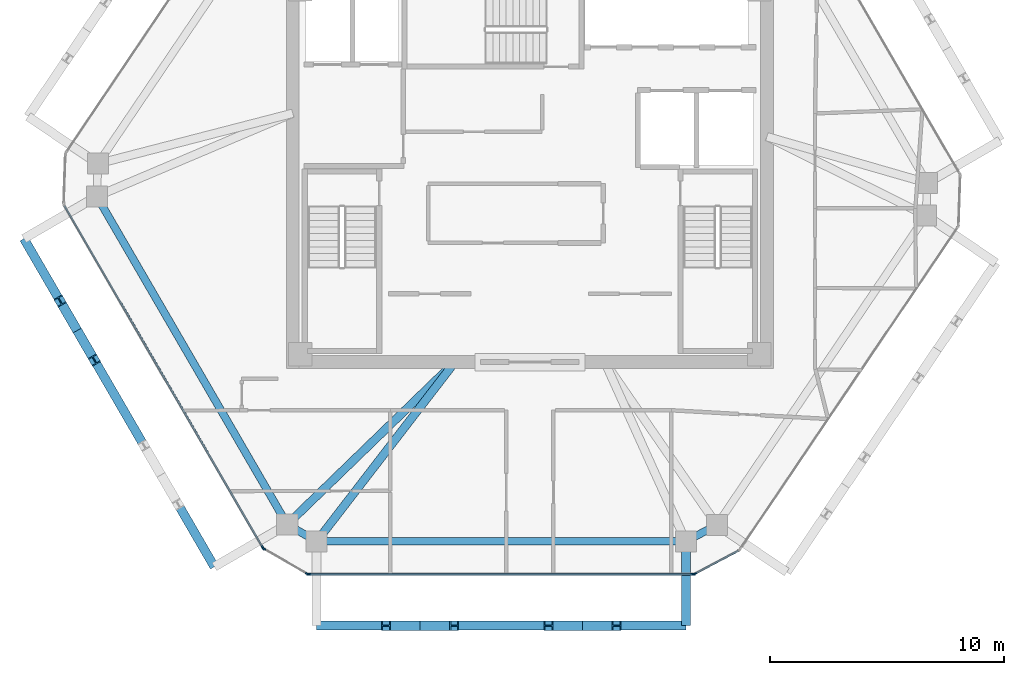
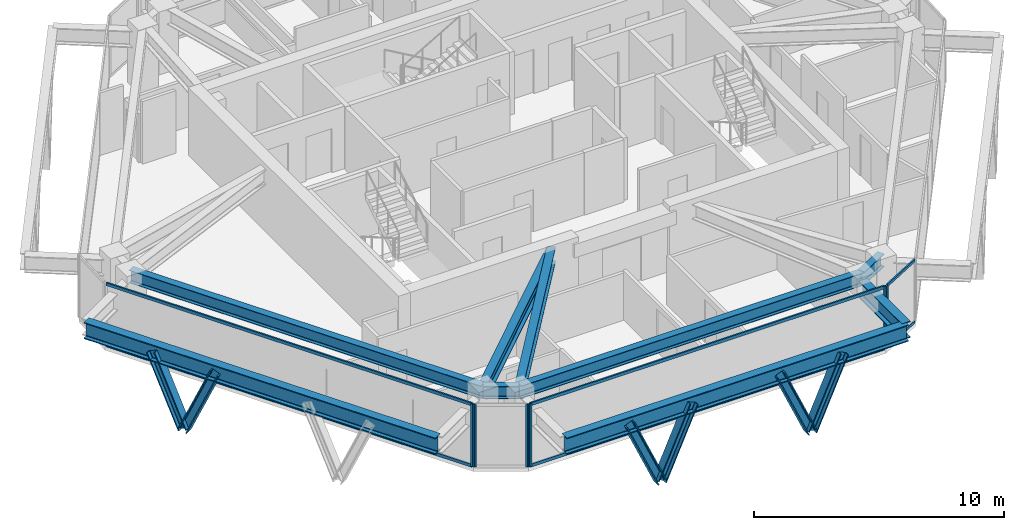
# One storey, part 2 of 11: 18 members, 9 beams, 4 elements without a shape of their own.
"""IFC4 building model written with IfcOpenShell, lengths in metres."""

import ifcopenshell
import ifcopenshell.guid

model = None  # the IFC model being written
_history = None  # IfcOwnerHistory: only IFC2X3 demands one
_inside = {}  # id of a spatial element -> (the spatial element, [elements in it])
_under = {}  # id of a project, library or spatial element -> (it, [spatial elements below it])
_declared = {}  # id of a project -> (the project, [libraries it declares])
_typed = {}  # id of a type object -> (the type object, [elements of that type])
_made_of = {}  # id of a material, layer set ... -> (it, [elements and type objects made of it])


def new_model(schema):
    """Start an empty IFC model of exactly this schema.

    Asked for "IFC4X3", IfcOpenShell would pick the latest addendum, in which some entities
    have other attributes; the version numbers below select the first issue.
    IFC2X3 requires an IfcOwnerHistory on every rooted entity: one is made here for all.
    """
    global model, _history
    if schema == "IFC4X3":
        model = ifcopenshell.file(schema_version=(4, 3, 0, 0))
    else:
        model = ifcopenshell.file(schema=schema)
    _inside.clear()
    _under.clear()
    _declared.clear()
    _typed.clear()
    _made_of.clear()
    _history = None
    if model.schema == "IFC2X3":
        org = make("IfcOrganization", Name="unknown")
        user = make(
            "IfcPersonAndOrganization",
            ThePerson=make("IfcPerson", FamilyName="unknown"),
            TheOrganization=org,
        )
        app = make(
            "IfcApplication",
            ApplicationDeveloper=org,
            Version="unknown",
            ApplicationFullName="unknown",
            ApplicationIdentifier="unknown",
        )
        _history = make(
            "IfcOwnerHistory",
            OwningUser=user,
            OwningApplication=app,
            ChangeAction="ADDED",
            CreationDate=0,
        )
    return model


def make(cls, **values):
    """One entity of the class cls with the attributes given. An attribute that is None is left unset."""
    return model.create_entity(
        cls, **{name: value for name, value in values.items() if value is not None}
    )


def rooted(cls, **values):
    """An entity with a GlobalId (a new one), such as an element, a storey or a relation."""
    return make(cls, GlobalId=ifcopenshell.guid.new(), OwnerHistory=_history, **values)


def si_unit(unit_type, name, prefix=None):
    """IfcSIUnit, for example si_unit("LENGTHUNIT", "METRE", prefix="MILLI")."""
    return make("IfcSIUnit", UnitType=unit_type, Prefix=prefix, Name=name)


def assignment(units):
    """IfcUnitAssignment: the units of a project."""
    return None if units is None else make("IfcUnitAssignment", Units=units)


def point(xyz):
    """IfcCartesianPoint."""
    return None if xyz is None else make("IfcCartesianPoint", Coordinates=xyz)


def direction(xyz):
    """IfcDirection."""
    return None if xyz is None else make("IfcDirection", DirectionRatios=xyz)


def frame(location, z_axis=None, x_axis=None):
    """IfcAxis2Placement3D, a coordinate frame: its origin and axes. An axis left out is left unset."""
    return make(
        "IfcAxis2Placement3D",
        Location=point(location),
        Axis=direction(z_axis),
        RefDirection=direction(x_axis),
    )


def frame_2d(location, x_axis=None):
    """IfcAxis2Placement2D, a coordinate frame in the plane: its origin and x axis."""
    return make(
        "IfcAxis2Placement2D", Location=point(location), RefDirection=direction(x_axis)
    )


def origin():
    """The frame at (0, 0, 0) with its axes left unset."""
    return frame((0.0, 0.0, 0.0))


def origin_2d():
    """The frame at (0, 0) in the plane with its x axis left unset."""
    return frame_2d((0.0, 0.0))


def place(relative_to, where):
    """IfcLocalPlacement: puts the frame where relative to a parent placement (None: the world)."""
    return make(
        "IfcLocalPlacement", PlacementRelTo=relative_to, RelativePlacement=where
    )


def context(
    kind, dimensions, precision=None, world=None, true_north=None, identifier=None
):
    """IfcGeometricRepresentationContext, for example the 3D "Model" context."""
    return make(
        "IfcGeometricRepresentationContext",
        ContextIdentifier=identifier,
        ContextType=kind,
        CoordinateSpaceDimension=dimensions,
        Precision=precision,
        WorldCoordinateSystem=world,
        TrueNorth=true_north,
    )


def subcontext(parent, identifier, kind, view, scale=None):
    """IfcGeometricRepresentationSubContext, for example "Body" below "Model"."""
    return make(
        "IfcGeometricRepresentationSubContext",
        ContextIdentifier=identifier,
        ContextType=kind,
        ParentContext=parent,
        TargetScale=scale,
        TargetView=view,
    )


def project(units=None, contexts=None):
    """IfcProject with its units and contexts."""
    return rooted(
        "IfcProject",
        Name="project",
        RepresentationContexts=contexts,
        UnitsInContext=assignment(units),
    )


def spatial(cls, under=None, at=None, **own):
    """A site, building, storey or space (cls), placed at a placement, below another one or the project."""
    s = rooted(cls, ObjectPlacement=at, **own)
    if under is not None:
        _under.setdefault(under.id(), (under, []))[1].append(s)
    return s


def profile(cls, at=None, kind="AREA", **sizes):
    """A parametric profile (cls). Its sizes go by their IFC names, for example OverallWidth=200.0."""
    return make(cls, ProfileType=kind, Position=at, **sizes)


def rectangle(**sizes):
    """IfcRectangleProfileDef."""
    return profile("IfcRectangleProfileDef", **sizes)


def i_section(**sizes):
    """IfcIShapeProfileDef."""
    return profile("IfcIShapeProfileDef", **sizes)


def extrude(swept, where, along, depth):
    """IfcExtrudedAreaSolid: the profile swept, set in the frame where, extruded along a direction by depth."""
    return make(
        "IfcExtrudedAreaSolid",
        SweptArea=swept,
        Position=where,
        ExtrudedDirection=direction(along),
        Depth=depth,
    )


def shape(context_of_items, identifier, shape_type, items):
    """IfcShapeRepresentation: the items that make up one representation, for example the "Body"."""
    return make(
        "IfcShapeRepresentation",
        ContextOfItems=context_of_items,
        RepresentationIdentifier=identifier,
        RepresentationType=shape_type,
        Items=items,
    )


def source(mapping_origin, context_of_items, identifier, shape_type, items):
    """IfcRepresentationMap: a shape defined once, which mapped items show again and again."""
    return make(
        "IfcRepresentationMap",
        MappingOrigin=mapping_origin,
        MappedRepresentation=shape(context_of_items, identifier, shape_type, items),
    )


def transform(
    local_origin,
    x_axis=None,
    y_axis=None,
    z_axis=None,
    scale=None,
    scale2=None,
    scale3=None,
    uniform=True,
):
    """IfcCartesianTransformationOperator3D, or its non-uniform kind. x_axis, y_axis, z_axis: its Axis1, 2, 3."""
    if uniform:
        return make(
            "IfcCartesianTransformationOperator3D",
            Axis1=direction(x_axis),
            Axis2=direction(y_axis),
            LocalOrigin=point(local_origin),
            Scale=scale,
            Axis3=direction(z_axis),
        )
    return make(
        "IfcCartesianTransformationOperator3DnonUniform",
        Axis1=direction(x_axis),
        Axis2=direction(y_axis),
        LocalOrigin=point(local_origin),
        Scale=scale,
        Axis3=direction(z_axis),
        Scale2=scale2,
        Scale3=scale3,
    )


def mapped(mapping_source, mapping_target):
    """IfcMappedItem: shows the shape of a source again, moved by a transform."""
    return make(
        "IfcMappedItem", MappingSource=mapping_source, MappingTarget=mapping_target
    )


def material(Name=None, Category=None):
    """IfcMaterial."""
    return make("IfcMaterial", Name=Name, Category=Category)


def layer(
    of_material, thickness, ventilated=None, Name=None, Category=None, Priority=None
):
    """IfcMaterialLayer: one layer of a wall or slab, of a material (None: an air gap)."""
    return make(
        "IfcMaterialLayer",
        Material=of_material,
        LayerThickness=thickness,
        IsVentilated=ventilated,
        Name=Name,
        Category=Category,
        Priority=Priority,
    )


def layer_set(layers, Name=None):
    """IfcMaterialLayerSet."""
    return make("IfcMaterialLayerSet", MaterialLayers=layers, LayerSetName=Name)


def material_profile(
    of_material, cross_section, Name=None, Category=None, Priority=None
):
    """IfcMaterialProfile: a cross section and its material."""
    return make(
        "IfcMaterialProfile",
        Name=Name,
        Material=of_material,
        Profile=cross_section,
        Priority=Priority,
        Category=Category,
    )


def profile_set(profiles, Name=None, composite=None):
    """IfcMaterialProfileSet."""
    return make(
        "IfcMaterialProfileSet",
        Name=Name,
        MaterialProfiles=profiles,
        CompositeProfile=composite,
    )


def made_of(thing, what):
    """Note that an element or type object is made of a material, layer set ...; save() writes the relation."""
    if what is not None:
        _made_of.setdefault(what.id(), (what, []))[1].append(thing)
    return thing


def type_object(cls, material=None, **own):
    """A type object (cls), such as IfcWallType, which elements share."""
    return made_of(rooted(cls, **own), material)


def type_shapes(of_type, sources):
    """Give a type object the sources (RepresentationMaps) that its elements show as mapped items."""
    of_type.RepresentationMaps = sources


def element(
    cls,
    number,
    at=None,
    inside=None,
    cuts=None,
    type_object=None,
    material=None,
    context=None,
    identifier="Body",
    shape_type=None,
    held_by="IfcProductDefinitionShape",
    body=None,
    shapes=None,
    **own,
):
    """One element of the class cls, such as IfcWall. Its Tag is "e" and its number.

    at: its placement. inside: the storey or other place that contains it. cuts: it is an
    opening in that element (IfcRelVoidsElement). A single representation is given by context,
    identifier, shape_type and body (its items); several are given by shapes. held_by: the class
    of the entity that holds the representations. save() writes the other relations.
    """
    e = rooted(cls, Tag="e%d" % number, ObjectPlacement=at, **own)
    if body is not None:
        shapes = [shape(context, identifier, shape_type, body)]
    if shapes is not None:
        e.Representation = make(held_by, Representations=shapes)
    if inside is not None:
        _inside.setdefault(inside.id(), (inside, []))[1].append(e)
    if cuts is not None:
        rooted(
            "IfcRelVoidsElement", RelatingBuildingElement=cuts, RelatedOpeningElement=e
        )
    if type_object is not None:
        _typed.setdefault(type_object.id(), (type_object, []))[1].append(e)
    return made_of(e, material)


def aggregate(whole, parts):
    """IfcRelAggregates: a whole, such as a stair, and the parts it consists of."""
    return rooted("IfcRelAggregates", RelatingObject=whole, RelatedObjects=parts)


def save(model, path):
    """Write the relations noted so far, then the file.

    IfcRelAggregates (storeys below a building ...), IfcRelContainedInSpatialStructure (elements
    in a storey), IfcRelDefinesByType, IfcRelAssociatesMaterial and IfcRelDeclares: one each for
    every whole, place, type object, material and project.
    """
    for whole, parts in _under.values():
        aggregate(whole, parts)
    for where, things in _inside.values():
        rooted(
            "IfcRelContainedInSpatialStructure",
            RelatedElements=things,
            RelatingStructure=where,
        )
    for kind, things in _typed.values():
        rooted("IfcRelDefinesByType", RelatedObjects=things, RelatingType=kind)
    for what, things in _made_of.values():
        rooted("IfcRelAssociatesMaterial", RelatedObjects=things, RelatingMaterial=what)
    for by, libraries in _declared.values():
        rooted("IfcRelDeclares", RelatingContext=by, RelatedDefinitions=libraries)
    model.write(path)


model = new_model("IFC4")

# Units and contexts
model_context = context("Model", 3, precision=1e-05, world=origin(), true_north=direction((0.0, 1.0)))
body_context = subcontext(model_context, "Body", "Model", "MODEL_VIEW")
ifc_project = project(units=[si_unit("LENGTHUNIT", "METRE"), si_unit("AREAUNIT", "SQUARE_METRE"), si_unit("VOLUMEUNIT", "CUBIC_METRE"), si_unit("PLANEANGLEUNIT", "RADIAN"), si_unit("MASSUNIT", "GRAM", prefix="KILO")], contexts=[model_context])

# Site, building, storey
site_placement = place(None, origin())
site = spatial("IfcSite", under=ifc_project, at=site_placement, CompositionType="ELEMENT")
building_placement = place(site_placement, origin())
building = spatial("IfcBuilding", under=site, at=building_placement, Name="Durnholm Broadcast Tower", CompositionType="ELEMENT")
storey_placement = place(building_placement, frame((0.0, 0.0, 238.10009765625)))
storey = spatial("IfcBuildingStorey", under=building, at=storey_placement, Name="L66", CompositionType="ELEMENT", Elevation=238.10009765625)

# Beams
ifc_material_1 = material(Name="Steel ASTM A992 Grade 50", Category="steel")
ifc_material_profile_1 = material_profile(ifc_material_1, i_section(OverallWidth=0.385009765625, OverallDepth=0.802978515625, WebThickness=0.023681640625, FlangeThickness=0.0419921875, FilletRadius=0.032958984375, at=origin_2d()), Name="W30X261")
ifc_profile_set_1 = profile_set([ifc_material_profile_1], Name="Steel ASTM A992 Grade 50")
beam_type_1 = type_object("IfcBeamType", Name="BM-EXO-TIE", PredefinedType="USERDEFINED", material=ifc_profile_set_1)
shared_shape_1 = source(origin(), body_context, "Body", "SweptSolid", [
    extrude(i_section(OverallWidth=0.385009765625, OverallDepth=0.802978515625, WebThickness=0.023681640625, FlangeThickness=0.0419921875, FilletRadius=0.032958984375, at=origin_2d()), origin(), (0.0, 0.0, 1.0), 3.4560546875),
])
beam_1_placement = place(storey_placement, frame((6.663818359375, -15.929931640625, 2.308349609375), z_axis=(0.0, -1.0, 0.0), x_axis=(1.0, 0.0, 0.0)))
element("IfcBeam", 1, at=beam_1_placement, inside=storey, type_object=beam_type_1, Name="L66 exoskeleton stand-off tie bracket F1.2", ObjectType="GIRDER", PredefinedType="USERDEFINED", context=body_context, shape_type="MappedRepresentation", body=[
    mapped(shared_shape_1, transform((0.0, 0.0, 0.0), x_axis=(1.0, 0.0, 0.0), y_axis=(0.0, 1.0, 0.0), z_axis=(0.0, 0.0, 1.0), scale=1.0)),
])
ifc_material_profile_2 = material_profile(ifc_material_1, i_section(OverallWidth=0.3251953125, OverallDepth=0.6162109375, WebThickness=0.013916015625, FlangeThickness=0.021484375, FilletRadius=0.02783203125, at=origin_2d()), Name="W24X117")
ifc_profile_set_2 = profile_set([ifc_material_profile_2], Name="Steel ASTM A992 Grade 50")
beam_type_2 = type_object("IfcBeamType", Name="STL-SP-W24X117", PredefinedType="SPANDREL", material=ifc_profile_set_2)
shared_shape_2 = source(origin(), body_context, "Body", "SweptSolid", [
    extrude(i_section(OverallWidth=0.3251953125, OverallDepth=0.6162109375, WebThickness=0.013916015625, FlangeThickness=0.021484375, FilletRadius=0.02783203125, at=origin_2d()), origin(), (0.0, 0.0, 1.0), 16.202880859375),
])
beam_2_placement = place(storey_placement, frame((-10.361328125, -15.061767578125, 2.73681640625), z_axis=(-0.501948303381, 0.864897624423, 0.0), x_axis=(-0.864897624423, -0.501948303381, 0.0)))
element("IfcBeam", 2, at=beam_2_placement, inside=storey, type_object=beam_type_2, Name="L66 perimeter spandrel girder 01", PredefinedType="SPANDREL", context=body_context, shape_type="MappedRepresentation", body=[
    mapped(shared_shape_2, transform((0.0, 0.0, 0.0), x_axis=(1.0, 0.0, 0.0), y_axis=(0.0, 1.0, 0.0), z_axis=(0.0, 0.0, 1.0), scale=1.0)),
])
shared_shape_3 = source(origin(), body_context, "Body", "SweptSolid", [
    extrude(i_section(OverallWidth=0.3251953125, OverallDepth=0.6162109375, WebThickness=0.013916015625, FlangeThickness=0.021484375, FilletRadius=0.02783203125, at=origin_2d()), origin(), (0.0, 0.0, 1.0), 1.502685546875),
])
beam_3_placement = place(storey_placement, frame((7.990966796875, -15.081298828125, 2.73681640625), z_axis=(-0.883241909673, -0.468917614296, 0.0), x_axis=(0.468917614296, -0.883241909673, 0.0)))
element("IfcBeam", 3, at=beam_3_placement, inside=storey, type_object=beam_type_2, Name="L66 perimeter spandrel girder 10", PredefinedType="SPANDREL", context=body_context, shape_type="MappedRepresentation", body=[
    mapped(shared_shape_3, transform((0.0, 0.0, 0.0), x_axis=(1.0, 0.0, 0.0), y_axis=(0.0, 1.0, 0.0), z_axis=(0.0, 0.0, 1.0), scale=1.0)),
])
shared_shape_4 = source(origin(), body_context, "Body", "SweptSolid", [
    extrude(i_section(OverallWidth=0.3251953125, OverallDepth=0.6162109375, WebThickness=0.013916015625, FlangeThickness=0.021484375, FilletRadius=0.02783203125, at=origin_2d()), origin(), (0.0, 0.0, 1.0), 15.767578125),
])
beam_4_placement = place(storey_placement, frame((6.663818359375, -15.785888671875, 2.73681640625), z_axis=(-1.0, 0.0, 0.0), x_axis=(0.0, -1.0, 0.0)))
element("IfcBeam", 4, at=beam_4_placement, inside=storey, type_object=beam_type_2, Name="L66 perimeter spandrel girder 11", PredefinedType="SPANDREL", context=body_context, shape_type="MappedRepresentation", body=[
    mapped(shared_shape_4, transform((0.0, 0.0, 0.0), x_axis=(1.0, 0.0, 0.0), y_axis=(0.0, 1.0, 0.0), z_axis=(0.0, 0.0, 1.0), scale=1.0)),
])
shared_shape_5 = source(origin(), body_context, "Body", "SweptSolid", [
    extrude(i_section(OverallWidth=0.3251953125, OverallDepth=0.6162109375, WebThickness=0.013916015625, FlangeThickness=0.021484375, FilletRadius=0.02783203125, at=origin_2d()), origin(), (0.0, 0.0, 1.0), 1.451171875),
])
type_shapes(beam_type_2, [shared_shape_2, shared_shape_3, shared_shape_4, shared_shape_5])
beam_5_placement = place(storey_placement, frame((-9.103759765625, -15.785888671875, 2.73681640625), z_axis=(-0.866602615509, 0.498998904601, 0.0), x_axis=(-0.498998904601, -0.866602615509, 0.0)))
element("IfcBeam", 5, at=beam_5_placement, inside=storey, type_object=beam_type_2, Name="L66 perimeter spandrel girder 12", PredefinedType="SPANDREL", context=body_context, shape_type="MappedRepresentation", body=[
    mapped(shared_shape_5, transform((0.0, 0.0, 0.0), x_axis=(1.0, 0.0, 0.0), y_axis=(0.0, 1.0, 0.0), z_axis=(0.0, 0.0, 1.0), scale=1.0)),
])
shared_shape_6 = source(origin(), body_context, "Body", "SweptSolid", [
    extrude(i_section(OverallWidth=0.385009765625, OverallDepth=0.802978515625, WebThickness=0.023681640625, FlangeThickness=0.0419921875, FilletRadius=0.032958984375, at=origin_2d()), origin(), (0.0, 0.0, 1.0), 15.767578125),
])
beam_6_placement = place(storey_placement, frame((-9.103759765625, -19.385986328125, 2.308349609375), z_axis=(1.0, 0.0, 0.0), x_axis=(0.0, 1.0, 0.0)))
element("IfcBeam", 6, at=beam_6_placement, inside=storey, type_object=beam_type_1, Name="L66 exoskeleton collector spandrel F1", PredefinedType="SPANDREL", context=body_context, shape_type="MappedRepresentation", body=[
    mapped(shared_shape_6, transform((0.0, 0.0, 0.0), x_axis=(1.0, 0.0, 0.0), y_axis=(0.0, 1.0, 0.0), z_axis=(0.0, 0.0, 1.0), scale=1.0)),
])
shared_shape_7 = source(origin(), body_context, "Body", "SweptSolid", [
    extrude(i_section(OverallWidth=0.385009765625, OverallDepth=0.802978515625, WebThickness=0.023681640625, FlangeThickness=0.0419921875, FilletRadius=0.032958984375, at=origin_2d()), origin(), (0.0, 0.0, 1.0), 16.20263671875),
])
type_shapes(beam_type_1, [shared_shape_1, shared_shape_6, shared_shape_7])
beam_7_placement = place(storey_placement, frame((-21.60791015625, -2.85498046875, 2.308349609375), z_axis=(0.501943573333, -0.864900369516, 0.0), x_axis=(0.864900369516, 0.501943573333, 0.0)))
element("IfcBeam", 7, at=beam_7_placement, inside=storey, type_object=beam_type_1, Name="L66 exoskeleton collector spandrel F6", PredefinedType="SPANDREL", context=body_context, shape_type="MappedRepresentation", body=[
    mapped(shared_shape_7, transform((0.0, 0.0, 0.0), x_axis=(1.0, 0.0, 0.0), y_axis=(0.0, 1.0, 0.0), z_axis=(0.0, 0.0, 1.0), scale=1.0)),
])
ifc_material_profile_3 = material_profile(ifc_material_1, i_section(OverallWidth=0.3564453125, OverallDepth=0.713623046875, WebThickness=0.01904296875, FlangeThickness=0.033935546875, FilletRadius=0.030517578125, at=origin_2d()), Name="W27X194")
ifc_profile_set_3 = profile_set([ifc_material_profile_3], Name="Steel ASTM A992 Grade 50")
beam_type_3 = type_object("IfcBeamType", Name="STL-GR-W27X194", PredefinedType="USERDEFINED", material=ifc_profile_set_3)
shared_shape_8 = source(origin(), body_context, "Body", "SweptSolid", [
    extrude(i_section(OverallWidth=0.3564453125, OverallDepth=0.713623046875, WebThickness=0.01904296875, FlangeThickness=0.033935546875, FilletRadius=0.030517578125, at=origin_2d()), origin(), (0.0, 0.0, 1.0), 9.97021484375),
])
beam_8_placement = place(storey_placement, frame((-3.199951171875, -8.125, 2.68798828125), z_axis=(-0.718281140352, -0.695752975857, 0.0), x_axis=(0.695752975857, -0.718281140352, 0.0)))
element("IfcBeam", 8, at=beam_8_placement, inside=storey, type_object=beam_type_3, Name="L66 radial primary floor girder 01", ObjectType="GIRDER", PredefinedType="USERDEFINED", context=body_context, shape_type="MappedRepresentation", body=[
    mapped(shared_shape_8, transform((0.0, 0.0, 0.0), x_axis=(1.0, 0.0, 0.0), y_axis=(0.0, 1.0, 0.0), z_axis=(0.0, 0.0, 1.0), scale=1.0)),
])
shared_shape_9 = source(origin(), body_context, "Body", "SweptSolid", [
    extrude(i_section(OverallWidth=0.3564453125, OverallDepth=0.713623046875, WebThickness=0.01904296875, FlangeThickness=0.033935546875, FilletRadius=0.030517578125, at=origin_2d()), origin(), (0.0, 0.0, 1.0), 9.671875),
])
type_shapes(beam_type_3, [shared_shape_8, shared_shape_9])
beam_9_placement = place(storey_placement, frame((-3.199951171875, -8.125, 2.68798828125), z_axis=(-0.610413181287, -0.792083169945, 0.0), x_axis=(0.792083169945, -0.610413181287, 0.0)))
element("IfcBeam", 9, at=beam_9_placement, inside=storey, type_object=beam_type_3, Name="L66 radial primary floor girder 12", ObjectType="GIRDER", PredefinedType="USERDEFINED", context=body_context, shape_type="MappedRepresentation", body=[
    mapped(shared_shape_9, transform((0.0, 0.0, 0.0), x_axis=(1.0, 0.0, 0.0), y_axis=(0.0, 1.0, 0.0), z_axis=(0.0, 0.0, 1.0), scale=1.0)),
])

# Members
ifc_material_2 = material(Name="Steel ASTM A913 Grade 65", Category="steel")
ifc_material_profile_4 = material_profile(ifc_material_2, i_section(OverallWidth=0.40625, OverallDepth=0.416015625, WebThickness=0.02978515625, FlangeThickness=0.048095703125, FilletRadius=0.030517578125, at=origin_2d()), Name="W14X257")
ifc_profile_set_4 = profile_set([ifc_material_profile_4], Name="Steel ASTM A913 Grade 65")
member_type_1 = type_object("IfcMemberType", Name="STL-DG-W14X257", PredefinedType="BRACE", material=ifc_profile_set_4)
shared_shape_10 = source(origin(), body_context, "Body", "SweptSolid", [
    extrude(i_section(OverallWidth=0.40625, OverallDepth=0.416015625, WebThickness=0.02978515625, FlangeThickness=0.048095703125, FilletRadius=0.030517578125, at=origin_2d()), origin(), (0.0, 0.0, 1.0), 3.607666015625),
])
type_shapes(member_type_1, [shared_shape_10])
for number, where, z_axis, x_axis, name in (
    (10, (-4.688720703125, -19.385986328125, -0.991455078125), (-0.404209932713, 0.0, 0.914666239836), (0.0, -1.0, 0.0), "L66 stand-off diagrid brace F1.D1.1"),
    (11, (-4.688720703125, -19.385986328125, -0.991455078125), (0.404153314314, 0.0, 0.914691258584), (0.0, 1.0, 0.0), "L66 stand-off diagrid brace F1.D1.2"),
    (12, (2.248779296875, -19.385986328125, -0.991455078125), (-0.404209932713, 0.0, 0.914666239836), (0.0, -1.0, 0.0), "L66 stand-off diagrid brace F1.D2.1"),
    (13, (2.248779296875, -19.385986328125, -0.991455078125), (0.404209932713, 0.0, 0.914666239836), (0.0, 1.0, 0.0), "L66 stand-off diagrid brace F1.D2.2"),
    (14, (-19.330810546875, -6.77880859375, -0.991455078125), (-0.202818858385, 0.349603677817, 0.914681244555), (-0.864978863669, -0.501808295473, 0.0), "L66 stand-off diagrid brace F6.D1.1"),
    (15, (-19.330810546875, -6.77880859375, -0.991455078125), (0.202948633357, -0.349594078001, 0.914656128195), (0.864833498681, 0.50205878098, 0.0), "L66 stand-off diagrid brace F6.D1.2"),
):
    element("IfcMember", number, at=place(storey_placement, frame(where, z_axis=z_axis, x_axis=x_axis)), inside=storey, type_object=member_type_1, Name=name, PredefinedType="BRACE", context=body_context, shape_type="MappedRepresentation", body=[
        mapped(shared_shape_10, transform((0.0, 0.0, 0.0), x_axis=(1.0, 0.0, 0.0), y_axis=(0.0, 1.0, 0.0), z_axis=(0.0, 0.0, 1.0), scale=1.0)),
    ])

# Curtain wall, members
ifc_material_3 = material(Name="Aluminium and Solar Control IGU", Category="aluminium")
ifc_layer_1 = layer(ifc_material_3, 0.1650390625)
ifc_layer_set_1 = layer_set([ifc_layer_1], Name="Aluminium and Solar Control IGU")
curtain_wall_type_1 = type_object("IfcCurtainWallType", Name="CW-SYS-5", PredefinedType="NOTDEFINED", material=ifc_layer_set_1)
curtain_wall_1_placement = place(storey_placement, origin())
curtain_wall_1 = element("IfcCurtainWall", 16, at=curtain_wall_1_placement, inside=storey, type_object=curtain_wall_type_1, Name="L66 curtain wall CW-CORNER CW-L66-CRN-09", PredefinedType="NOTDEFINED")
ifc_material_4 = material(Name="Aluminium 6063-T6", Category="aluminium")
ifc_material_profile_5 = material_profile(ifc_material_4, rectangle(XDim=0.06494140625, YDim=0.1298828125, at=origin_2d()), Name="CWT65X130")
ifc_profile_set_5 = profile_set([ifc_material_profile_5], Name="Aluminium 6063-T6")
member_type_2 = type_object("IfcMemberType", Name="CW-SYS-5-TRN", PredefinedType="USERDEFINED", material=ifc_profile_set_5)
shared_shape_11 = source(origin(), body_context, "Body", "SweptSolid", [
    extrude(rectangle(XDim=0.06494140625, YDim=0.1298828125, at=origin_2d()), origin(), (0.0, 0.0, 1.0), 2.070068359375),
])
type_shapes(member_type_2, [shared_shape_11])
member_1_placement = place(storey_placement, frame((8.89794921875, -16.1845703125, 0.032470703125), z_axis=(-0.883164581026, -0.469063239682, 0.0), x_axis=(0.469063239682, -0.883164581026, 0.0)))
member_1 = element("IfcMember", 17, at=member_1_placement, type_object=member_type_2, Name="CW-CORNER transom 1.1", ObjectType="TRANSOM", PredefinedType="USERDEFINED", context=body_context, shape_type="MappedRepresentation", body=[
    mapped(shared_shape_11, transform((0.0, 0.0, 0.0), x_axis=(1.0, 0.0, 0.0), y_axis=(0.0, 1.0, 0.0), z_axis=(0.0, 0.0, 1.0), scale=1.0)),
])
member_2_placement = place(storey_placement, frame((8.89794921875, -16.1845703125, 3.02734375), z_axis=(-0.883164581026, -0.469063239682, 0.0), x_axis=(0.469063239682, -0.883164581026, 0.0)))
member_2 = element("IfcMember", 18, at=member_2_placement, type_object=member_type_2, Name="CW-CORNER transom 1.2", ObjectType="TRANSOM", PredefinedType="USERDEFINED", context=body_context, shape_type="MappedRepresentation", body=[
    mapped(shared_shape_11, transform((0.0, 0.0, 0.0), x_axis=(1.0, 0.0, 0.0), y_axis=(0.0, 1.0, 0.0), z_axis=(0.0, 0.0, 1.0), scale=1.0)),
])
ifc_material_profile_6 = material_profile(ifc_material_4, rectangle(XDim=0.06494140625, YDim=0.1650390625, at=origin_2d()), Name="CWM65X165")
ifc_profile_set_6 = profile_set([ifc_material_profile_6], Name="Aluminium 6063-T6")
member_type_3 = type_object("IfcMemberType", Name="CW-SYS-5-MUL", PredefinedType="MULLION", material=ifc_profile_set_6)
shared_shape_12 = source(origin(), body_context, "Body", "SweptSolid", [
    extrude(rectangle(XDim=0.06494140625, YDim=0.1650390625, at=origin_2d()), origin(), (0.0, 0.0, 1.0), 3.059814453125),
])
type_shapes(member_type_3, [shared_shape_12])
member_3_placement = place(storey_placement, frame((7.041015625, -17.170654296875, 0.0), z_axis=(0.0, 0.0, 1.0), x_axis=(0.469006771575, -0.883194569853, 0.0)))
member_3 = element("IfcMember", 19, at=member_3_placement, type_object=member_type_3, Name="CW-CORNER mullion 2", PredefinedType="MULLION", context=body_context, shape_type="MappedRepresentation", body=[
    mapped(shared_shape_12, transform((0.0, 0.0, 0.0), x_axis=(1.0, 0.0, 0.0), y_axis=(0.0, 1.0, 0.0), z_axis=(0.0, 0.0, 1.0), scale=1.0)),
])
aggregate(curtain_wall_1, [member_3, member_1, member_2])

curtain_wall_2_placement = place(storey_placement, origin())
curtain_wall_2 = element("IfcCurtainWall", 20, at=curtain_wall_2_placement, inside=storey, type_object=curtain_wall_type_1, Name="L66 curtain wall CW-CORNER CW-L66-CRN-11", PredefinedType="NOTDEFINED")
member_4_placement = place(storey_placement, frame((-9.506103515625, -17.169677734375, 0.0), z_axis=(0.0, 0.0, 1.0), x_axis=(-0.499058582333, -0.866568249707, 0.0)))
member_4 = element("IfcMember", 21, at=member_4_placement, type_object=member_type_3, Name="CW-CORNER mullion 1", PredefinedType="MULLION", context=body_context, shape_type="MappedRepresentation", body=[
    mapped(shared_shape_12, transform((0.0, 0.0, 0.0), x_axis=(1.0, 0.0, 0.0), y_axis=(0.0, 1.0, 0.0), z_axis=(0.0, 0.0, 1.0), scale=1.0)),
])
member_5_placement = place(storey_placement, frame((-11.356201171875, -16.104248046875, 0.0), z_axis=(0.0, 0.0, 1.0), x_axis=(-0.499058582333, -0.866568249707, 0.0)))
member_5 = element("IfcMember", 22, at=member_5_placement, type_object=member_type_3, Name="CW-CORNER mullion 2", PredefinedType="MULLION", context=body_context, shape_type="MappedRepresentation", body=[
    mapped(shared_shape_12, transform((0.0, 0.0, 0.0), x_axis=(1.0, 0.0, 0.0), y_axis=(0.0, 1.0, 0.0), z_axis=(0.0, 0.0, 1.0), scale=1.0)),
])
aggregate(curtain_wall_2, [member_4, member_5])

ifc_layer_2 = layer(ifc_material_3, 0.18994140625)
ifc_layer_set_2 = layer_set([ifc_layer_2], Name="Aluminium and Solar Control IGU")
curtain_wall_type_2 = type_object("IfcCurtainWallType", Name="CW-SYS-4", PredefinedType="NOTDEFINED", material=ifc_layer_set_2)
curtain_wall_3_placement = place(storey_placement, origin())
curtain_wall_3 = element("IfcCurtainWall", 23, at=curtain_wall_3_placement, inside=storey, type_object=curtain_wall_type_2, Name="L66 curtain wall CW-Z34-VIS CW-L66-F10", PredefinedType="NOTDEFINED")
ifc_material_profile_7 = material_profile(ifc_material_4, rectangle(XDim=0.070068359375, YDim=0.18994140625, at=origin_2d()), Name="CWM70X190")
ifc_profile_set_7 = profile_set([ifc_material_profile_7], Name="Aluminium 6063-T6")
member_type_4 = type_object("IfcMemberType", Name="CW-SYS-4-MUL", PredefinedType="MULLION", material=ifc_profile_set_7)
shared_shape_13 = source(origin(), body_context, "Body", "SweptSolid", [
    extrude(rectangle(XDim=0.070068359375, YDim=0.18994140625, at=origin_2d()), origin(), (0.0, 0.0, 1.0), 3.059814453125),
])
type_shapes(member_type_4, [shared_shape_13])
member_6_placement = place(storey_placement, frame((6.977294921875, -17.18603515625, 0.0), z_axis=(0.0, 0.0, 1.0), x_axis=(0.0, -1.0, 0.0)))
member_6 = element("IfcMember", 24, at=member_6_placement, type_object=member_type_4, Name="CW-Z34-VIS mullion 1", PredefinedType="MULLION", context=body_context, shape_type="MappedRepresentation", body=[
    mapped(shared_shape_13, transform((0.0, 0.0, 0.0), x_axis=(1.0, 0.0, 0.0), y_axis=(0.0, 1.0, 0.0), z_axis=(0.0, 0.0, 1.0), scale=1.0)),
])
member_7_placement = place(storey_placement, frame((-9.443115234375, -17.18603515625, 0.0), z_axis=(0.0, 0.0, 1.0), x_axis=(0.0, -1.0, 0.0)))
member_7 = element("IfcMember", 25, at=member_7_placement, type_object=member_type_4, Name="CW-Z34-VIS mullion 2", PredefinedType="MULLION", context=body_context, shape_type="MappedRepresentation", body=[
    mapped(shared_shape_13, transform((0.0, 0.0, 0.0), x_axis=(1.0, 0.0, 0.0), y_axis=(0.0, 1.0, 0.0), z_axis=(0.0, 0.0, 1.0), scale=1.0)),
])

# Curtain wall, member
curtain_wall_4_placement = place(storey_placement, origin())
curtain_wall_4 = element("IfcCurtainWall", 26, at=curtain_wall_4_placement, inside=storey, type_object=curtain_wall_type_2, Name="L66 curtain wall CW-Z34-VIS CW-L66-F12", PredefinedType="NOTDEFINED")
member_8_placement = place(storey_placement, frame((-11.40185546875, -16.057861328125, 0.0), z_axis=(0.0, 0.0, 1.0), x_axis=(-0.864899883824, -0.50194441023, 0.0)))
member_8 = element("IfcMember", 27, at=member_8_placement, type_object=member_type_4, Name="CW-Z34-VIS mullion 1", PredefinedType="MULLION", context=body_context, shape_type="MappedRepresentation", body=[
    mapped(shared_shape_13, transform((0.0, 0.0, 0.0), x_axis=(1.0, 0.0, 0.0), y_axis=(0.0, 1.0, 0.0), z_axis=(0.0, 0.0, 1.0), scale=1.0)),
])

# Member
ifc_material_profile_8 = material_profile(ifc_material_4, rectangle(XDim=0.070068359375, YDim=0.14990234375, at=origin_2d()), Name="CWT70X150")
ifc_profile_set_8 = profile_set([ifc_material_profile_8], Name="Aluminium 6063-T6")
member_type_5 = type_object("IfcMemberType", Name="CW-SYS-4-TRN", PredefinedType="USERDEFINED", material=ifc_profile_set_8)
shared_shape_14 = source(origin(), body_context, "Body", "SweptSolid", [
    extrude(rectangle(XDim=0.070068359375, YDim=0.14990234375, at=origin_2d()), origin(), (0.0, 0.0, 1.0), 16.350341796875),
])
member_9_placement = place(storey_placement, frame((6.9423828125, -17.18603515625, 0.034912109375), z_axis=(-1.0, 0.0, 0.0), x_axis=(0.0, -1.0, 0.0)))
member_9 = element("IfcMember", 28, at=member_9_placement, type_object=member_type_5, Name="CW-Z34-VIS transom 1.1", ObjectType="TRANSOM", PredefinedType="USERDEFINED", context=body_context, shape_type="MappedRepresentation", body=[
    mapped(shared_shape_14, transform((0.0, 0.0, 0.0), x_axis=(1.0, 0.0, 0.0), y_axis=(0.0, 1.0, 0.0), z_axis=(0.0, 0.0, 1.0), scale=1.0)),
])

member_10_placement = place(storey_placement, frame((6.9423828125, -17.18603515625, 3.02490234375), z_axis=(-1.0, 0.0, 0.0), x_axis=(0.0, -1.0, 0.0)))
member_10 = element("IfcMember", 29, at=member_10_placement, type_object=member_type_5, Name="CW-Z34-VIS transom 1.2", ObjectType="TRANSOM", PredefinedType="USERDEFINED", context=body_context, shape_type="MappedRepresentation", body=[
    mapped(shared_shape_14, transform((0.0, 0.0, 0.0), x_axis=(1.0, 0.0, 0.0), y_axis=(0.0, 1.0, 0.0), z_axis=(0.0, 0.0, 1.0), scale=1.0)),
])

aggregate(curtain_wall_3, [member_6, member_7, member_9, member_10])

shared_shape_15 = source(origin(), body_context, "Body", "SweptSolid", [
    extrude(rectangle(XDim=0.070068359375, YDim=0.14990234375, at=origin_2d()), origin(), (0.0, 0.0, 1.0), 16.83984375),
])
type_shapes(member_type_5, [shared_shape_14, shared_shape_15])
member_11_placement = place(storey_placement, frame((-11.41943359375, -16.027587890625, 0.034912109375), z_axis=(-0.501945239029, 0.86489940283, 0.0), x_axis=(-0.86489940283, -0.501945239029, 0.0)))
member_11 = element("IfcMember", 30, at=member_11_placement, type_object=member_type_5, Name="CW-Z34-VIS transom 1.1", ObjectType="TRANSOM", PredefinedType="USERDEFINED", context=body_context, shape_type="MappedRepresentation", body=[
    mapped(shared_shape_15, transform((0.0, 0.0, 0.0), x_axis=(1.0, 0.0, 0.0), y_axis=(0.0, 1.0, 0.0), z_axis=(0.0, 0.0, 1.0), scale=1.0)),
])

member_12_placement = place(storey_placement, frame((-11.41943359375, -16.027587890625, 3.02490234375), z_axis=(-0.501945239029, 0.86489940283, 0.0), x_axis=(-0.86489940283, -0.501945239029, 0.0)))
member_12 = element("IfcMember", 31, at=member_12_placement, type_object=member_type_5, Name="CW-Z34-VIS transom 1.2", ObjectType="TRANSOM", PredefinedType="USERDEFINED", context=body_context, shape_type="MappedRepresentation", body=[
    mapped(shared_shape_15, transform((0.0, 0.0, 0.0), x_axis=(1.0, 0.0, 0.0), y_axis=(0.0, 1.0, 0.0), z_axis=(0.0, 0.0, 1.0), scale=1.0)),
])

aggregate(curtain_wall_4, [member_8, member_11, member_12])

save(model, "model.ifc")
